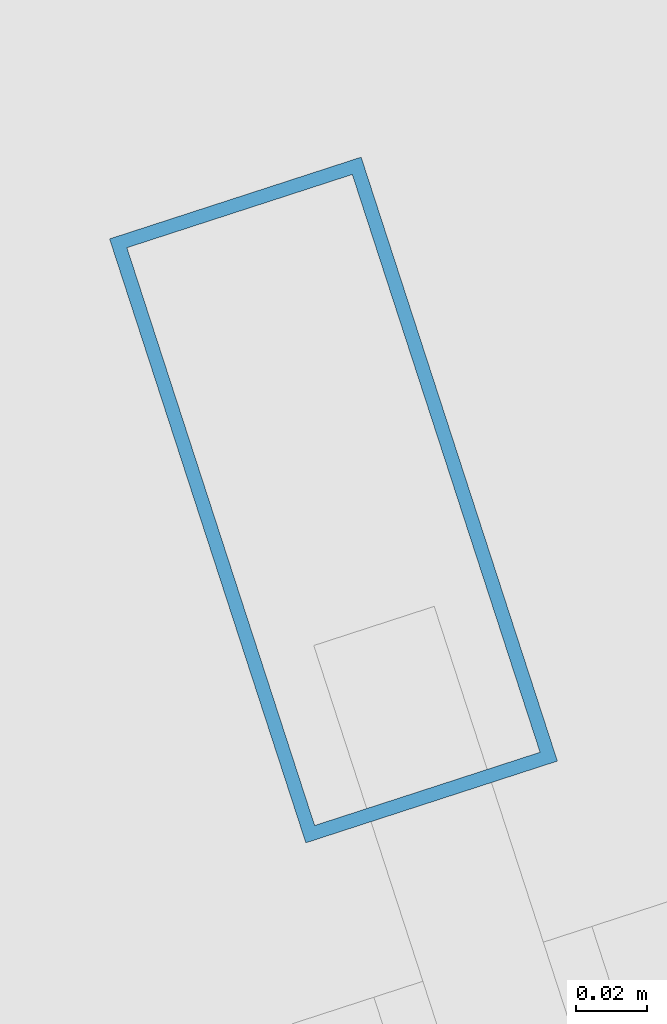
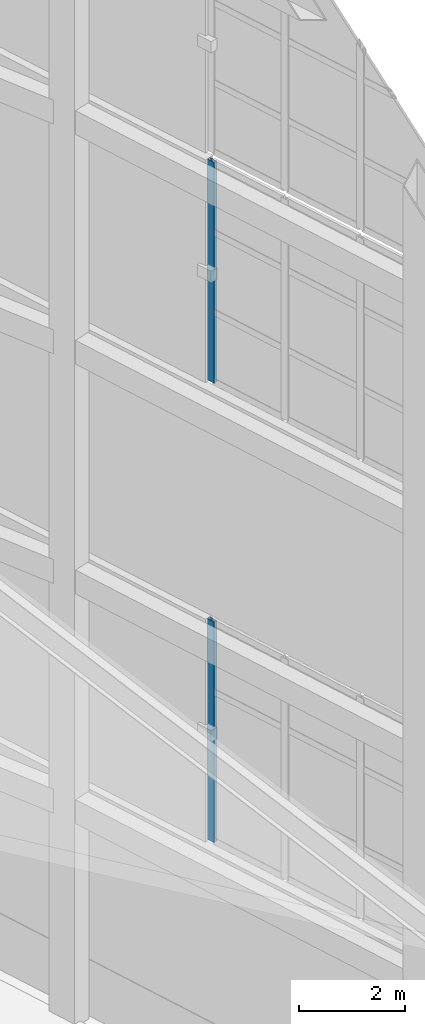
# One storey, part 42 of 56: 2 members, 2 elements without a shape of their own.
"""IFC4 building model written with IfcOpenShell, lengths in metres."""

from ifc_helpers import new_model, si_unit, direction, frame, origin, origin_2d, place, context, subcontext, project, spatial, hollow_rectangle, extrude, material, layer, layer_set, material_profile, profile_set, type_object, element, aggregate, save


model = new_model("IFC4")

# Units and contexts
model_context = context("Model", 3, precision=1e-05, world=origin(), true_north=direction((0.0, 1.0)))
body_context = subcontext(model_context, "Body", "Model", "MODEL_VIEW")
ifc_project = project(units=[si_unit("LENGTHUNIT", "METRE"), si_unit("AREAUNIT", "SQUARE_METRE"), si_unit("VOLUMEUNIT", "CUBIC_METRE"), si_unit("PLANEANGLEUNIT", "RADIAN"), si_unit("MASSUNIT", "GRAM", prefix="KILO")], contexts=[model_context])

# Site, building, storey
site_placement = place(None, origin())
site = spatial("IfcSite", under=ifc_project, at=site_placement, CompositionType="ELEMENT")
building_placement = place(site_placement, origin())
building = spatial("IfcBuilding", under=site, at=building_placement, Name="Qiaolan Cultural Towers", CompositionType="ELEMENT")
storey_placement = place(building_placement, frame((0.0, 0.0, 250.39990234375)))
storey = spatial("IfcBuildingStorey", under=building, at=storey_placement, Name="L68", CompositionType="ELEMENT", Elevation=250.39990234375)

# Curtain wall, member
ifc_material_1 = material(Name="Unitized Anodized Aluminium Curtain Wall System", Category="aluminium")
ifc_layer = layer(ifc_material_1, 0.199951171875)
ifc_layer_set = layer_set([ifc_layer], Name="Unitized Anodized Aluminium Curtain Wall System")
curtain_wall_type = type_object("IfcCurtainWallType", Name="CWS-06", PredefinedType="NOTDEFINED", material=ifc_layer_set)
curtain_wall_1_placement = place(storey_placement, origin())
curtain_wall_1 = element("IfcCurtainWall", 1, at=curtain_wall_1_placement, inside=storey, type_object=curtain_wall_type, Name="T2 Crown Tier 2 Fritted Screen Curtain Wall 3", PredefinedType="NOTDEFINED")
ifc_material_2 = material(Name="Extruded Aluminium 6063-T6", Category="aluminium")
ifc_material_profile = material_profile(ifc_material_2, hollow_rectangle(XDim=0.074951171875, YDim=0.179931640625, WallThickness=0.00390625, at=origin_2d()), Name="CWM-180x75x4")
ifc_profile_set = profile_set([ifc_material_profile], Name="Extruded Aluminium 6063-T6")
member_type = type_object("IfcMemberType", Name="CWS-06-MUL", PredefinedType="MULLION", material=ifc_profile_set)
member_1_placement = place(storey_placement, frame((101.40380859375, 43.722412109375, 5.400146484375), z_axis=(0.0, 0.0, 1.0), x_axis=(-0.951056535512, -0.309016935232, 0.0)))
member_1 = element("IfcMember", 2, at=member_1_placement, type_object=member_type, Name="CW-6 mullion 7", PredefinedType="MULLION", context=body_context, shape_type="SweptSolid", body=[
    extrude(hollow_rectangle(XDim=0.074951171875, YDim=0.179931640625, WallThickness=0.00390625, at=origin_2d()), origin(), (0.0, 0.0, 1.0), 5.099853515625),
])
aggregate(curtain_wall_1, [member_1])

curtain_wall_2_placement = place(storey_placement, origin())
curtain_wall_2 = element("IfcCurtainWall", 3, at=curtain_wall_2_placement, inside=storey, type_object=curtain_wall_type, Name="T2 Crown Tier 4 Fritted Screen Curtain Wall 3", PredefinedType="NOTDEFINED")
member_2_placement = place(storey_placement, frame((101.40380859375, 43.722412109375, 16.0), z_axis=(0.0, 0.0, 1.0), x_axis=(-0.951056535512, -0.309016935232, 0.0)))
member_2 = element("IfcMember", 4, at=member_2_placement, type_object=member_type, Name="CW-6 mullion 7", PredefinedType="MULLION", context=body_context, shape_type="SweptSolid", body=[
    extrude(hollow_rectangle(XDim=0.074951171875, YDim=0.179931640625, WallThickness=0.00390625, at=origin_2d()), origin(), (0.0, 0.0, 1.0), 5.10009765625),
])
aggregate(curtain_wall_2, [member_2])

save(model, "model.ifc")
